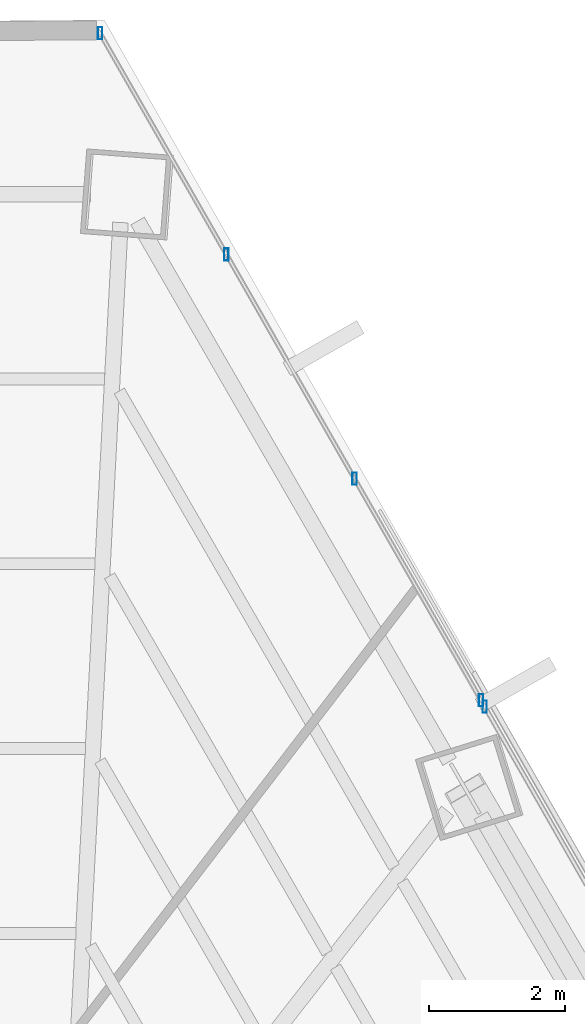
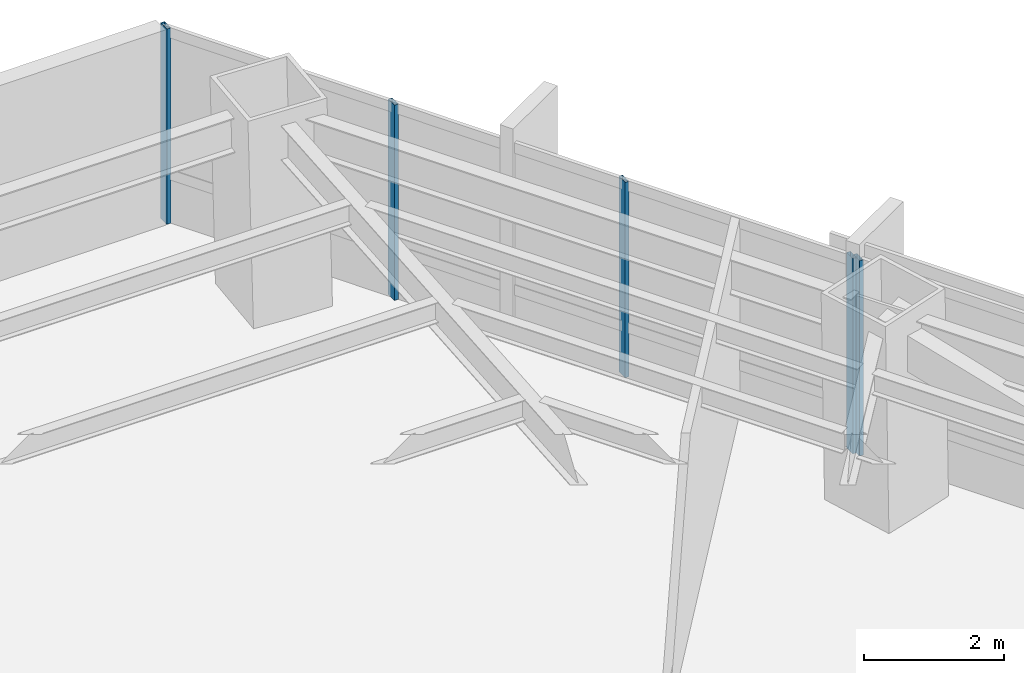
# One storey, part 28 of 36: 5 members, 2 elements without a shape of their own.
"""IFC4 building model written with IfcOpenShell, lengths in metres."""

from ifc_helpers import new_model, si_unit, direction, frame, origin, origin_2d, place, context, subcontext, project, spatial, hollow_rectangle, extrude, source, transform, mapped, material, material_profile, profile_set, type_object, type_shapes, element, aggregate, save


model = new_model("IFC4")

# Units and contexts
model_context = context("Model", 3, precision=1e-05, world=origin(), true_north=direction((0.0, 1.0)))
body_context = subcontext(model_context, "Body", "Model", "MODEL_VIEW")
ifc_project = project(units=[si_unit("LENGTHUNIT", "METRE"), si_unit("AREAUNIT", "SQUARE_METRE"), si_unit("VOLUMEUNIT", "CUBIC_METRE"), si_unit("PLANEANGLEUNIT", "RADIAN"), si_unit("MASSUNIT", "GRAM", prefix="KILO")], contexts=[model_context])

# Site, building, storey
site_placement = place(None, origin())
site = spatial("IfcSite", under=ifc_project, at=site_placement, CompositionType="ELEMENT")
building_placement = place(site_placement, origin())
building = spatial("IfcBuilding", under=site, at=building_placement, Name="Caelisora Broadcast Tower", CompositionType="ELEMENT")
storey_placement = place(building_placement, frame((0.0, 0.0, 64.10009765625)))
storey = spatial("IfcBuildingStorey", under=building, at=storey_placement, Name="L16", CompositionType="ELEMENT", Elevation=64.10009765625)

# Curtain wall, members
ifc_material_1 = material(Name="Unitised Aluminium and Low-E Glass Curtain Wall", Category="glass")
curtain_wall_type_1 = type_object("IfcCurtainWallType", Name="CW-Z1", PredefinedType="NOTDEFINED", material=ifc_material_1)
curtain_wall_1_placement = place(storey_placement, origin())
curtain_wall_1 = element("IfcCurtainWall", 1, at=curtain_wall_1_placement, inside=storey, type_object=curtain_wall_type_1, Name="L16 curtain wall CW-Z1", PredefinedType="NOTDEFINED")
ifc_material_2 = material(Name="Aluminium 6063-T6 Anodised Terracotta Bronze", Category="aluminium")
ifc_material_profile = material_profile(ifc_material_2, hollow_rectangle(XDim=0.06494140625, YDim=0.179931640625, WallThickness=0.00341796875, at=origin_2d()), Name="Aluminium 6063-T6 Anodised Terracotta Bronze")
ifc_profile_set = profile_set([ifc_material_profile], Name="Aluminium 6063-T6 Anodised Terracotta Bronze")
member_type = type_object("IfcMemberType", Name="CWM-02", PredefinedType="MULLION", material=ifc_profile_set)
shared_shape = source(origin(), body_context, "Body", "SweptSolid", [
    extrude(hollow_rectangle(XDim=0.06494140625, YDim=0.179931640625, WallThickness=0.00341796875, at=origin_2d()), origin(), (0.0, 0.0, 1.0), 3.39990234375),
])
type_shapes(member_type, [shared_shape])
member_1_placement = place(storey_placement, frame((46.02978515625, 48.713623046875, 0.0), z_axis=(0.0, 0.0, 1.0), x_axis=(1.0, 0.0, 0.0)))
member_1 = element("IfcMember", 2, at=member_1_placement, type_object=member_type, Name="L16-CW-B01 mullion #0", PredefinedType="MULLION", context=body_context, shape_type="MappedRepresentation", body=[
    mapped(shared_shape, transform((0.0, 0.0, 0.0), scale=1.0)),
])
member_2_placement = place(storey_placement, frame((47.89306640625, 45.45166015625, 0.0), z_axis=(0.0, 0.0, 1.0), x_axis=(1.0, 0.0, 0.0)))
member_2 = element("IfcMember", 3, at=member_2_placement, type_object=member_type, Name="L16-CW-B01 mullion #1", PredefinedType="MULLION", context=body_context, shape_type="MappedRepresentation", body=[
    mapped(shared_shape, transform((0.0, 0.0, 0.0), scale=1.0)),
])
member_3_placement = place(storey_placement, frame((49.78125, 42.14599609375, 0.0), z_axis=(0.0, 0.0, 1.0), x_axis=(1.0, 0.0, 0.0)))
member_3 = element("IfcMember", 4, at=member_3_placement, type_object=member_type, Name="L16-CW-B01 mullion #2", PredefinedType="MULLION", context=body_context, shape_type="MappedRepresentation", body=[
    mapped(shared_shape, transform((0.0, 0.0, 0.0), scale=1.0)),
])
member_4_placement = place(storey_placement, frame((51.64453125, 38.884033203125, 0.0), z_axis=(0.0, 0.0, 1.0), x_axis=(1.0, 0.0, 0.0)))
member_4 = element("IfcMember", 5, at=member_4_placement, type_object=member_type, Name="L16-CW-B01 mullion #3", PredefinedType="MULLION", context=body_context, shape_type="MappedRepresentation", body=[
    mapped(shared_shape, transform((0.0, 0.0, 0.0), scale=1.0)),
])
aggregate(curtain_wall_1, [member_1, member_2, member_3, member_4])

# Curtain wall, member
ifc_material_3 = material(Name="Unitised Aluminium Insulated Shadow-Box Spandrel Curtain Wall", Category="aluminium")
curtain_wall_type_2 = type_object("IfcCurtainWallType", Name="CW-SP1", PredefinedType="NOTDEFINED", material=ifc_material_3)
curtain_wall_2_placement = place(storey_placement, origin())
curtain_wall_2 = element("IfcCurtainWall", 6, at=curtain_wall_2_placement, inside=storey, type_object=curtain_wall_type_2, Name="L16 curtain wall CW-SP1", PredefinedType="NOTDEFINED")
member_5_placement = place(storey_placement, frame((51.69921875, 38.78857421875, 0.0), z_axis=(0.0, 0.0, 1.0), x_axis=(1.0, 0.0, 0.0)))
member_5 = element("IfcMember", 7, at=member_5_placement, type_object=member_type, Name="L16-CW-B02 mullion #0", PredefinedType="MULLION", context=body_context, shape_type="MappedRepresentation", body=[
    mapped(shared_shape, transform((0.0, 0.0, 0.0), scale=1.0)),
])
aggregate(curtain_wall_2, [member_5])

save(model, "model.ifc")
